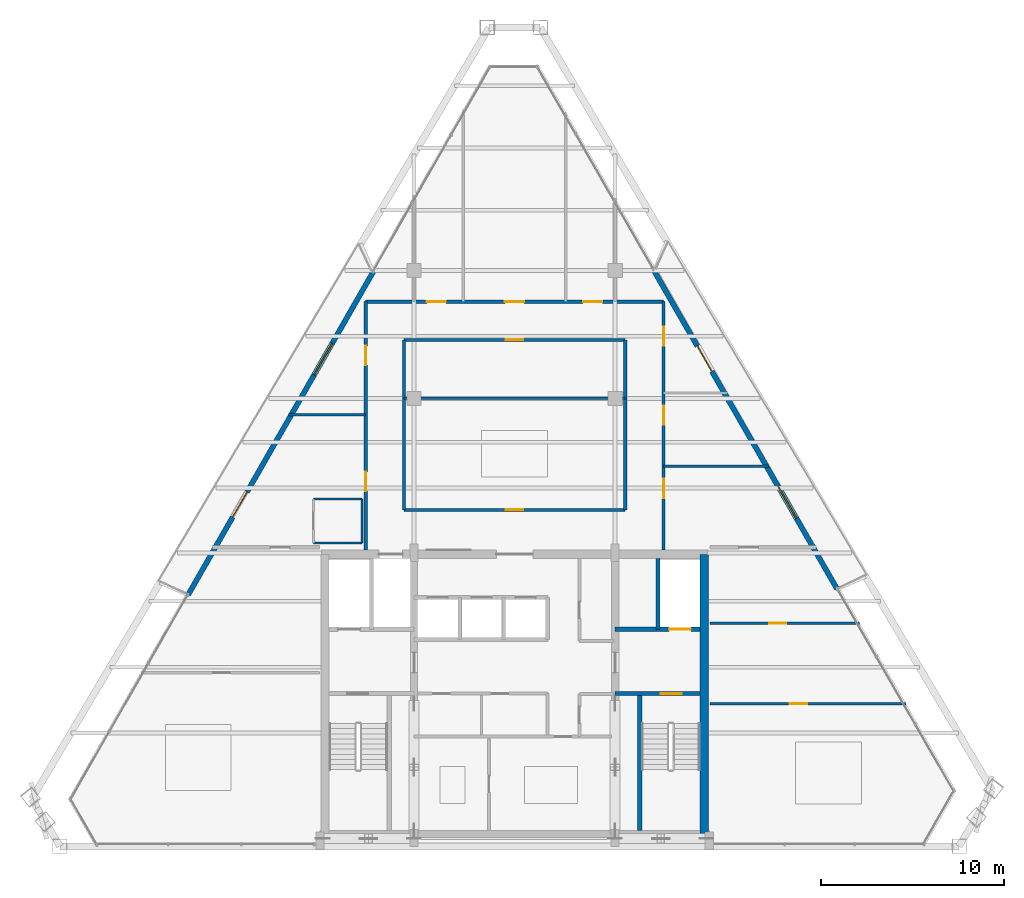
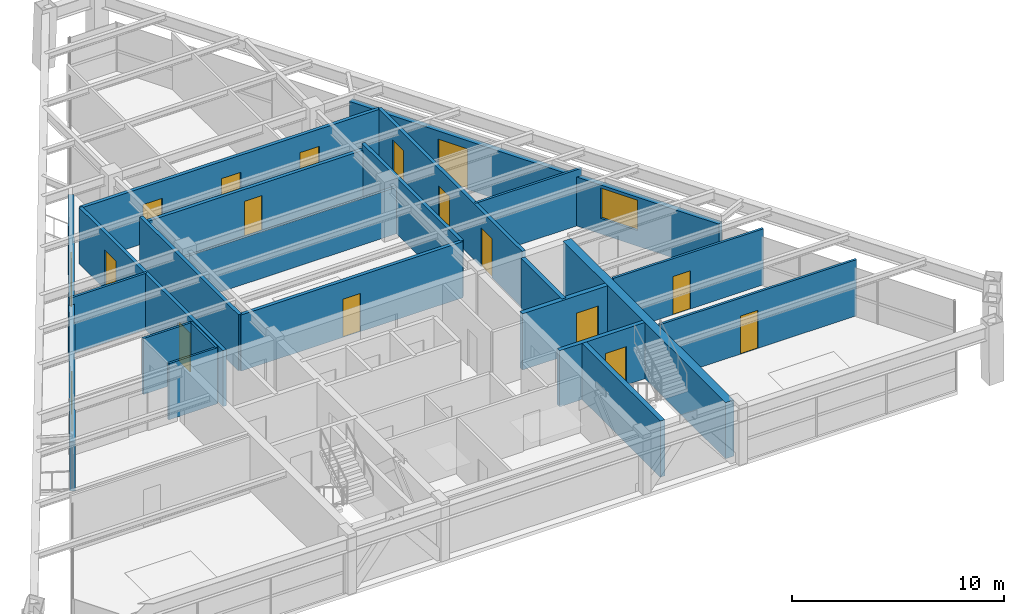
# One storey, part 10 of 13: 22 walls, 16 doors, 2 windows, 18 openings.
"""IFC4 building model written with IfcOpenShell, lengths in metres."""

from ifc_helpers import new_model, si_unit, direction, frame, frame_2d, origin, place, context, subcontext, project, spatial, rectangle, extrude, source, transform, mapped, material, layer, layer_set, type_object, type_shapes, element, fill, save


model = new_model("IFC4")

# Units and contexts
model_context = context("Model", 3, precision=1e-05, world=origin(), true_north=direction((0.0, 1.0)))
body_context = subcontext(model_context, "Body", "Model", "MODEL_VIEW")
ifc_project = project(units=[si_unit("LENGTHUNIT", "METRE"), si_unit("AREAUNIT", "SQUARE_METRE"), si_unit("VOLUMEUNIT", "CUBIC_METRE"), si_unit("PLANEANGLEUNIT", "RADIAN"), si_unit("MASSUNIT", "GRAM", prefix="KILO")], contexts=[model_context])

# Site, building, storey
site_placement = place(None, origin())
site = spatial("IfcSite", under=ifc_project, at=site_placement, CompositionType="ELEMENT")
building_placement = place(site_placement, origin())
building = spatial("IfcBuilding", under=site, at=building_placement, Name="Varnakhor Terracotta Tower", CompositionType="ELEMENT")
storey_placement = place(building_placement, frame((0.0, 0.0, 297.14990234375)))
storey = spatial("IfcBuildingStorey", under=building, at=storey_placement, Name="L78", CompositionType="ELEMENT", Elevation=297.14990234375)

# Walls
ifc_material_1 = material(Name="Moisture-Resistant Tile-Backed Partition", Category="gypsum")
ifc_layer_1 = layer(ifc_material_1, 0.114990234375, Name="Moisture-Resistant Tile-Backed Partition")
ifc_layer_set_1 = layer_set([ifc_layer_1], Name="Moisture-Resistant Tile-Backed Partition")
wall_type_1 = type_object("IfcWallType", Name="WAL-BATH-115", PredefinedType="PARTITIONING", material=ifc_layer_set_1)
for number, where, z_axis, x_axis, name in (
    (1, (-11.0, 16.60009765625, 0.0), (0.0, 0.0, 1.0), (1.0, 0.0, 0.0), "L78 En-Suite 1 Wall S"),
    (2, (-11.0, 19.0, 0.0), (0.0, 0.0, 1.0), (1.0, 0.0, 0.0), "L78 En-Suite 1 Wall N"),
):
    element("IfcWall", number, at=place(storey_placement, frame(where, z_axis=z_axis, x_axis=x_axis)), inside=storey, type_object=wall_type_1, Name=name, PredefinedType="PARTITIONING", context=body_context, shape_type="SweptSolid", body=[
        extrude(rectangle(XDim=2.64990234375, YDim=0.114990234375, at=frame_2d((1.324951171875, 0.0))), origin(), (0.0, 0.0, 1.0), 3.232177734375),
    ])
wall_1_placement = place(storey_placement, frame((-8.35009765625, 16.60009765625, 0.0), z_axis=(0.0, 0.0, 1.0), x_axis=(0.0, 1.0, 0.0)))
element("IfcWall", 3, at=wall_1_placement, inside=storey, type_object=wall_type_1, Name="L78 En-Suite 1 Wall E", PredefinedType="PARTITIONING", context=body_context, shape_type="SweptSolid", body=[
    extrude(rectangle(XDim=2.39990234375, YDim=0.114990234375, at=frame_2d((1.199951171875, 0.0))), origin(), (0.0, 0.0, 1.0), 3.232177734375),
])
ifc_material_2 = material(Name="Concrete C50/60", Category="concrete")
ifc_layer_2 = layer(ifc_material_2, 0.449951171875, Name="Concrete C50/60")
ifc_layer_set_2 = layer_set([ifc_layer_2], Name="Concrete C50/60")
wall_type_2 = type_object("IfcWallType", Name="WAL-CORE-450", PredefinedType="SHEAR", material=ifc_layer_set_2)
wall_2_placement = place(storey_placement, frame((10.375, 0.625, 0.0), z_axis=(0.0, 0.0, 1.0), x_axis=(0.0, 1.0, 0.0)))
element("IfcWall", 4, at=wall_2_placement, inside=storey, type_object=wall_type_2, Name="L78 East Core Shear Wall", PredefinedType="SHEAR", context=body_context, shape_type="SweptSolid", body=[
    extrude(rectangle(XDim=15.35009765625, YDim=0.449951171875, at=frame_2d((7.675048828125, 0.0))), origin(), (0.0, 0.0, 1.0), 3.239990234375),
])

# Wall, opening, door
ifc_material_3 = material(Name="Fire-Rated Gypsum Stud Partition", Category="gypsum")
ifc_layer_3 = layer(ifc_material_3, 0.18505859375, Name="Fire-Rated Gypsum Stud Partition")
ifc_layer_set_3 = layer_set([ifc_layer_3], Name="Fire-Rated Gypsum Stud Partition")
wall_type_3 = type_object("IfcWallType", Name="WAL-CORR-185", PredefinedType="PARTITIONING", material=ifc_layer_set_3)
wall_3_placement = place(storey_placement, frame((-6.050048828125, 18.39990234375, 0.0), z_axis=(0.0, 0.0, 1.0), x_axis=(1.0, 0.0, 0.0)))
wall_3 = element("IfcWall", 5, at=wall_3_placement, inside=storey, type_object=wall_type_3, Name="L78 Ring Inner South Wall", PredefinedType="PARTITIONING", context=body_context, shape_type="SweptSolid", body=[
    extrude(rectangle(XDim=12.10009765625, YDim=0.18505859375, at=frame_2d((6.050048828125, 0.0))), origin(), (0.0, 0.0, 1.0), 3.232177734375),
])
opening_1_placement = place(wall_3_placement, frame((5.574951171875, 0.0, 0.0)))
opening_1 = element("IfcOpeningElement", 6, at=opening_1_placement, cuts=wall_3, Name="Opening DR-94", PredefinedType="OPENING", context=body_context, shape_type="SweptSolid", body=[
    extrude(rectangle(XDim=0.949951171875, YDim=2.199951171875, at=frame_2d((0.47509765625, 1.10009765625))), frame((0.0, 0.1025390625, 0.0), z_axis=(0.0, -1.0, 0.0), x_axis=(1.0, 0.0, 0.0)), (0.0, 0.0, 1.0), 0.205078125),
])
ifc_material_4 = material(Name="Acoustic Glazed-Vision Timber Office Door", Category="wood")
door_type_1 = type_object("IfcDoorType", Name="DR-OFF-950X2200", OperationType="NOTDEFINED", PredefinedType="DOOR", material=ifc_material_4)
shared_shape_1 = source(origin(), body_context, "Body", "SweptSolid", [
    extrude(rectangle(XDim=0.949951171875, YDim=2.199951171875, at=frame_2d((0.47509765625, 1.10009765625))), frame((0.0, 0.02490234375, 0.0), z_axis=(0.0, -1.0, 0.0), x_axis=(1.0, 0.0, 0.0)), (0.0, 0.0, 1.0), 0.050048828125),
])
type_shapes(door_type_1, [shared_shape_1])
door_1_placement = place(opening_1_placement, origin())
door_1 = element("IfcDoor", 7, at=door_1_placement, inside=storey, type_object=door_type_1, Name="L78 Housekeeping Station Door", OperationType="SINGLE_SWING_LEFT", OverallHeight=2.199951171875, OverallWidth=0.949951171875, PredefinedType="DOOR", context=body_context, shape_type="MappedRepresentation", body=[
    mapped(shared_shape_1, transform((0.0, 0.0, 0.0), scale=1.0)),
])
fill(opening_1, door_1)

wall_4_placement = place(storey_placement, frame((-6.050048828125, 27.699951171875, 0.0), z_axis=(0.0, 0.0, 1.0), x_axis=(1.0, 0.0, 0.0)))
wall_4 = element("IfcWall", 8, at=wall_4_placement, inside=storey, type_object=wall_type_3, Name="L78 Ring Inner North Wall", PredefinedType="PARTITIONING", context=body_context, shape_type="SweptSolid", body=[
    extrude(rectangle(XDim=12.10009765625, YDim=0.18505859375, at=frame_2d((6.050048828125, 0.0))), origin(), (0.0, 0.0, 1.0), 2.885009765625),
])
opening_2_placement = place(wall_4_placement, frame((5.574951171875, 0.0, 0.0)))
opening_2 = element("IfcOpeningElement", 9, at=opening_2_placement, cuts=wall_4, Name="Opening DR-94", PredefinedType="OPENING", context=body_context, shape_type="SweptSolid", body=[
    extrude(rectangle(XDim=0.949951171875, YDim=2.199951171875, at=frame_2d((0.47509765625, 1.10009765625))), frame((0.0, 0.1025390625, 0.0), z_axis=(0.0, -1.0, 0.0), x_axis=(1.0, 0.0, 0.0)), (0.0, 0.0, 1.0), 0.205078125),
])
door_2_placement = place(opening_2_placement, origin())
door_2 = element("IfcDoor", 10, at=door_2_placement, inside=storey, type_object=door_type_1, Name="L78 Inner Service Door", OperationType="SINGLE_SWING_RIGHT", OverallHeight=2.199951171875, OverallWidth=0.949951171875, PredefinedType="DOOR", context=body_context, shape_type="MappedRepresentation", body=[
    mapped(shared_shape_1, transform((0.0, 0.0, 0.0), scale=1.0)),
])
fill(opening_2, door_2)

# Walls
for number, where, z_axis, x_axis, name in (
    (11, (-6.050048828125, 18.39990234375, 0.0), (0.0, 0.0, 1.0), (0.0, 1.0, 0.0), "L78 Ring Inner West Wall"),
    (12, (6.050048828125, 18.39990234375, 0.0), (0.0, 0.0, 1.0), (0.0, 1.0, 0.0), "L78 Ring Inner East Wall"),
):
    element("IfcWall", number, at=place(storey_placement, frame(where, z_axis=z_axis, x_axis=x_axis)), inside=storey, type_object=wall_type_3, Name=name, PredefinedType="PARTITIONING", context=body_context, shape_type="SweptSolid", body=[
        extrude(rectangle(XDim=9.300048828125, YDim=0.18505859375, at=frame_2d((4.64990234375, 0.0))), origin(), (0.0, 0.0, 1.0), 3.232177734375),
    ])

# Wall, openings, doors
wall_5_placement = place(storey_placement, frame((-8.14990234375, 16.199951171875, 0.0), z_axis=(0.0, 0.0, 1.0), x_axis=(0.0, 1.0, 0.0)))
wall_5 = element("IfcWall", 13, at=wall_5_placement, inside=storey, type_object=wall_type_3, Name="L78 Hotel West Corridor Wall", PredefinedType="PARTITIONING", context=body_context, shape_type="SweptSolid", body=[
    extrude(rectangle(XDim=13.60009765625, YDim=0.18505859375, at=frame_2d((6.800048828125, 0.0))), origin(), (0.0, 0.0, 1.0), 3.232177734375),
])
opening_3_placement = place(wall_5_placement, frame((3.235107421875, 0.0, 0.0)))
opening_3 = element("IfcOpeningElement", 14, at=opening_3_placement, cuts=wall_5, Name="Opening DR-95", PredefinedType="OPENING", context=body_context, shape_type="SweptSolid", body=[
    extrude(rectangle(XDim=1.050048828125, YDim=2.25, at=frame_2d((0.52490234375, 1.125))), frame((0.0, 0.1025390625, 0.0), z_axis=(0.0, -1.0, 0.0), x_axis=(1.0, 0.0, 0.0)), (0.0, 0.0, 1.0), 0.205078125),
])
opening_4_placement = place(wall_5_placement, frame((10.12255859375, 0.0, 0.0)))
opening_4 = element("IfcOpeningElement", 15, at=opening_4_placement, cuts=wall_5, Name="Opening DR-95", PredefinedType="OPENING", context=body_context, shape_type="SweptSolid", body=[
    extrude(rectangle(XDim=1.050048828125, YDim=2.25, at=frame_2d((0.52490234375, 1.125))), frame((0.0, 0.1025390625, 0.0), z_axis=(0.0, -1.0, 0.0), x_axis=(1.0, 0.0, 0.0)), (0.0, 0.0, 1.0), 0.205078125),
])
ifc_material_5 = material(Name="Solid-Core Timber Tenant/Hotel Entrance Door", Category="wood")
door_type_2 = type_object("IfcDoorType", Name="DR-SUITE-1050X2250", OperationType="NOTDEFINED", PredefinedType="DOOR", material=ifc_material_5)
shared_shape_2 = source(origin(), body_context, "Body", "SweptSolid", [
    extrude(rectangle(XDim=1.050048828125, YDim=2.25, at=frame_2d((0.52490234375, 1.125))), frame((0.0, 0.02490234375, 0.0), z_axis=(0.0, -1.0, 0.0), x_axis=(1.0, 0.0, 0.0)), (0.0, 0.0, 1.0), 0.050048828125),
])
type_shapes(door_type_2, [shared_shape_2])
door_3_placement = place(opening_3_placement, origin())
door_3 = element("IfcDoor", 16, at=door_3_placement, inside=storey, type_object=door_type_2, Name="L78 West Room 1 Entry Door", OperationType="SINGLE_SWING_RIGHT", OverallHeight=2.25, OverallWidth=1.050048828125, PredefinedType="DOOR", context=body_context, shape_type="MappedRepresentation", body=[
    mapped(shared_shape_2, transform((0.0, 0.0, 0.0), scale=1.0)),
])
fill(opening_3, door_3)
door_4_placement = place(opening_4_placement, origin())
door_4 = element("IfcDoor", 17, at=door_4_placement, inside=storey, type_object=door_type_2, Name="L78 West Room 2 Entry Door", OperationType="SINGLE_SWING_RIGHT", OverallHeight=2.25, OverallWidth=1.050048828125, PredefinedType="DOOR", context=body_context, shape_type="MappedRepresentation", body=[
    mapped(shared_shape_2, transform((0.0, 0.0, 0.0), scale=1.0)),
])
fill(opening_4, door_4)

wall_6_placement = place(storey_placement, frame((8.14990234375, 16.199951171875, 0.0), z_axis=(0.0, 0.0, 1.0), x_axis=(0.0, 1.0, 0.0)))
wall_6 = element("IfcWall", 18, at=wall_6_placement, inside=storey, type_object=wall_type_3, Name="L78 Hotel East Corridor Wall", PredefinedType="PARTITIONING", context=body_context, shape_type="SweptSolid", body=[
    extrude(rectangle(XDim=13.60009765625, YDim=0.18505859375, at=frame_2d((6.800048828125, 0.0))), origin(), (0.0, 0.0, 1.0), 3.232177734375),
])
opening_5_placement = place(wall_6_placement, frame((2.8525390625, 0.0, 0.0)))
opening_5 = element("IfcOpeningElement", 19, at=opening_5_placement, cuts=wall_6, Name="Opening DR-95", PredefinedType="OPENING", context=body_context, shape_type="SweptSolid", body=[
    extrude(rectangle(XDim=1.050048828125, YDim=2.25, at=frame_2d((0.52490234375, 1.125))), frame((0.0, 0.1025390625, 0.0), z_axis=(0.0, -1.0, 0.0), x_axis=(1.0, 0.0, 0.0)), (0.0, 0.0, 1.0), 0.205078125),
])
opening_6_placement = place(wall_6_placement, frame((6.8525390625, 0.0, 0.0)))
opening_6 = element("IfcOpeningElement", 20, at=opening_6_placement, cuts=wall_6, Name="Opening DR-95", PredefinedType="OPENING", context=body_context, shape_type="SweptSolid", body=[
    extrude(rectangle(XDim=1.050048828125, YDim=2.25, at=frame_2d((0.52490234375, 1.125))), frame((0.0, 0.1025390625, 0.0), z_axis=(0.0, -1.0, 0.0), x_axis=(1.0, 0.0, 0.0)), (0.0, 0.0, 1.0), 0.205078125),
])
opening_7_placement = place(wall_6_placement, frame((11.1845703125, 0.0, 0.0)))
opening_7 = element("IfcOpeningElement", 21, at=opening_7_placement, cuts=wall_6, Name="Opening DR-95", PredefinedType="OPENING", context=body_context, shape_type="SweptSolid", body=[
    extrude(rectangle(XDim=1.050048828125, YDim=2.25, at=frame_2d((0.52490234375, 1.125))), frame((0.0, 0.1025390625, 0.0), z_axis=(0.0, -1.0, 0.0), x_axis=(1.0, 0.0, 0.0)), (0.0, 0.0, 1.0), 0.205078125),
])
door_5_placement = place(opening_5_placement, origin())
door_5 = element("IfcDoor", 22, at=door_5_placement, inside=storey, type_object=door_type_2, Name="L78 East Room 1 Entry Door", OperationType="SINGLE_SWING_LEFT", OverallHeight=2.25, OverallWidth=1.050048828125, PredefinedType="DOOR", context=body_context, shape_type="MappedRepresentation", body=[
    mapped(shared_shape_2, transform((0.0, 0.0, 0.0), scale=1.0)),
])
fill(opening_5, door_5)
door_6_placement = place(opening_6_placement, origin())
door_6 = element("IfcDoor", 23, at=door_6_placement, inside=storey, type_object=door_type_2, Name="L78 East Room 2 Entry Door", OperationType="SINGLE_SWING_RIGHT", OverallHeight=2.25, OverallWidth=1.050048828125, PredefinedType="DOOR", context=body_context, shape_type="MappedRepresentation", body=[
    mapped(shared_shape_2, transform((0.0, 0.0, 0.0), scale=1.0)),
])
fill(opening_6, door_6)
door_7_placement = place(opening_7_placement, origin())
door_7 = element("IfcDoor", 24, at=door_7_placement, inside=storey, type_object=door_type_2, Name="L78 East Room 3 Entry Door", OperationType="SINGLE_SWING_LEFT", OverallHeight=2.25, OverallWidth=1.050048828125, PredefinedType="DOOR", context=body_context, shape_type="MappedRepresentation", body=[
    mapped(shared_shape_2, transform((0.0, 0.0, 0.0), scale=1.0)),
])
fill(opening_7, door_7)

wall_7_placement = place(storey_placement, frame((-8.14990234375, 29.800048828125, 0.0), z_axis=(0.0, 0.0, 1.0), x_axis=(1.0, 0.0, 0.0)))
wall_7 = element("IfcWall", 25, at=wall_7_placement, inside=storey, type_object=wall_type_3, Name="L78 Hotel North Corridor Wall", PredefinedType="PARTITIONING", context=body_context, shape_type="SweptSolid", body=[
    extrude(rectangle(XDim=16.2998046875, YDim=0.18505859375, at=frame_2d((8.14990234375, 0.0))), origin(), (0.0, 0.0, 1.0), 3.232177734375),
])
opening_8_placement = place(wall_7_placement, frame((3.347412109375, 0.0, 0.0)))
opening_8 = element("IfcOpeningElement", 26, at=opening_8_placement, cuts=wall_7, Name="Opening DR-95", PredefinedType="OPENING", context=body_context, shape_type="SweptSolid", body=[
    extrude(rectangle(XDim=1.050048828125, YDim=2.25, at=frame_2d((0.52490234375, 1.125))), frame((0.0, 0.1025390625, 0.0), z_axis=(0.0, -1.0, 0.0), x_axis=(1.0, 0.0, 0.0)), (0.0, 0.0, 1.0), 0.205078125),
])
opening_9_placement = place(wall_7_placement, frame((7.625, 0.0, 0.0)))
opening_9 = element("IfcOpeningElement", 27, at=opening_9_placement, cuts=wall_7, Name="Opening DR-95", PredefinedType="OPENING", context=body_context, shape_type="SweptSolid", body=[
    extrude(rectangle(XDim=1.050048828125, YDim=2.25, at=frame_2d((0.52490234375, 1.125))), frame((0.0, 0.1025390625, 0.0), z_axis=(0.0, -1.0, 0.0), x_axis=(1.0, 0.0, 0.0)), (0.0, 0.0, 1.0), 0.205078125),
])
opening_10_placement = place(wall_7_placement, frame((11.902587890625, 0.0, 0.0)))
opening_10 = element("IfcOpeningElement", 28, at=opening_10_placement, cuts=wall_7, Name="Opening DR-95", PredefinedType="OPENING", context=body_context, shape_type="SweptSolid", body=[
    extrude(rectangle(XDim=1.050048828125, YDim=2.25, at=frame_2d((0.52490234375, 1.125))), frame((0.0, 0.1025390625, 0.0), z_axis=(0.0, -1.0, 0.0), x_axis=(1.0, 0.0, 0.0)), (0.0, 0.0, 1.0), 0.205078125),
])
door_8_placement = place(opening_8_placement, origin())
door_8 = element("IfcDoor", 29, at=door_8_placement, inside=storey, type_object=door_type_2, Name="L78 North Suite 1 Entry Door", OperationType="SINGLE_SWING_RIGHT", OverallHeight=2.25, OverallWidth=1.050048828125, PredefinedType="DOOR", context=body_context, shape_type="MappedRepresentation", body=[
    mapped(shared_shape_2, transform((0.0, 0.0, 0.0), scale=1.0)),
])
fill(opening_8, door_8)
door_9_placement = place(opening_9_placement, origin())
door_9 = element("IfcDoor", 30, at=door_9_placement, inside=storey, type_object=door_type_2, Name="L78 North Suite 2 Entry Door", OperationType="SINGLE_SWING_LEFT", OverallHeight=2.25, OverallWidth=1.050048828125, PredefinedType="DOOR", context=body_context, shape_type="MappedRepresentation", body=[
    mapped(shared_shape_2, transform((0.0, 0.0, 0.0), scale=1.0)),
])
fill(opening_9, door_9)
door_10_placement = place(opening_10_placement, origin())
door_10 = element("IfcDoor", 31, at=door_10_placement, inside=storey, type_object=door_type_2, Name="L78 North Suite 3 Entry Door", OperationType="SINGLE_SWING_RIGHT", OverallHeight=2.25, OverallWidth=1.050048828125, PredefinedType="DOOR", context=body_context, shape_type="MappedRepresentation", body=[
    mapped(shared_shape_2, transform((0.0, 0.0, 0.0), scale=1.0)),
])
fill(opening_10, door_10)

# Wall, openings, door, window
ifc_material_6 = material(Name="Extruded Architectural Terracotta Assembly", Category="masonry")
ifc_layer_4 = layer(ifc_material_6, 0.280029296875, Name="Extruded Architectural Terracotta Assembly")
ifc_layer_set_4 = layer_set([ifc_layer_4], Name="Extruded Architectural Terracotta Assembly")
wall_type_4 = type_object("IfcWallType", Name="WAL-EXT-TERRACOTTA-280", PredefinedType="SOLIDWALL", material=ifc_layer_set_4)
wall_8_placement = place(storey_placement, frame((-17.857177734375, 13.759765625, 0.0), z_axis=(0.0, 0.0, 1.0), x_axis=(0.497115564006, 0.867684341234, 0.0)))
wall_8 = element("IfcWall", 32, at=wall_8_placement, inside=storey, type_object=wall_type_4, Name="L78 W Loggia Insulated Terracotta Wall", PredefinedType="SOLIDWALL", context=body_context, shape_type="SweptSolid", body=[
    extrude(rectangle(XDim=20.372802734375, YDim=0.280029296875, at=frame_2d((10.1865234375, 0.0))), origin(), (0.0, 0.0, 1.0), 2.820068359375),
])
opening_11_placement = place(wall_8_placement, frame((4.889404296875, 0.0, 0.0)))
opening_11 = element("IfcOpeningElement", 33, at=opening_11_placement, cuts=wall_8, Name="Opening DR-62", PredefinedType="OPENING", context=body_context, shape_type="SweptSolid", body=[
    extrude(rectangle(XDim=1.60009765625, YDim=2.35009765625, at=frame_2d((0.800048828125, 1.175048828125))), frame((0.0, 0.14990234375, 0.0), z_axis=(0.0, -1.0, 0.0), x_axis=(1.0, 0.0, 0.0)), (0.0, 0.0, 1.0), 0.300048828125),
])
opening_12_placement = place(wall_8_placement, frame((13.853515625, 0.0, 0.89990234375)))
opening_12 = element("IfcOpeningElement", 34, at=opening_12_placement, cuts=wall_8, Name="Opening WN-63", PredefinedType="OPENING", context=body_context, shape_type="SweptSolid", body=[
    extrude(rectangle(XDim=2.0, YDim=1.75, at=frame_2d((1.0, 0.875))), frame((0.0, 0.14990234375, 0.0), z_axis=(0.0, -1.0, 0.0), x_axis=(1.0, 0.0, 0.0)), (0.0, 0.0, 1.0), 0.300048828125),
])
ifc_material_7 = material(Name="Thermally Broken Sliding Glass Loggia Door", Category="glass")
door_type_3 = type_object("IfcDoorType", Name="DR-EXT-LOGGIA-1600X2350", OperationType="NOTDEFINED", PredefinedType="DOOR", material=ifc_material_7)
shared_shape_3 = source(origin(), body_context, "Body", "SweptSolid", [
    extrude(rectangle(XDim=1.60009765625, YDim=2.35009765625, at=frame_2d((0.800048828125, 1.175048828125))), frame((0.0, 0.02490234375, 0.0), z_axis=(0.0, -1.0, 0.0), x_axis=(1.0, 0.0, 0.0)), (0.0, 0.0, 1.0), 0.050048828125),
])
type_shapes(door_type_3, [shared_shape_3])
door_11_placement = place(opening_11_placement, origin())
door_11 = element("IfcDoor", 35, at=door_11_placement, inside=storey, type_object=door_type_3, Name="L78 W Recessed Loggia Sliding Door", OperationType="SLIDING_TO_LEFT", OverallHeight=2.35009765625, OverallWidth=1.60009765625, PredefinedType="DOOR", context=body_context, shape_type="MappedRepresentation", body=[
    mapped(shared_shape_3, transform((0.0, 0.0, 0.0), scale=1.0)),
])
fill(opening_11, door_11)
ifc_material_8 = material(Name="Solar-Control Low-E Insulated Glass Unit", Category="glass")
window_type = type_object("IfcWindowType", Name="WIN-HTL-2000X1950", PartitioningType="SINGLE_PANEL", PredefinedType="WINDOW", material=ifc_material_8)
shared_shape_4 = source(origin(), body_context, "Body", "SweptSolid", [
    extrude(rectangle(XDim=2.0, YDim=1.75, at=frame_2d((1.0, 0.875))), frame((0.0, 0.030029296875, 0.0), z_axis=(0.0, -1.0, 0.0), x_axis=(1.0, 0.0, 0.0)), (0.0, 0.0, 1.0), 0.06005859375),
])
type_shapes(window_type, [shared_shape_4])
window_1_placement = place(opening_12_placement, origin())
window_1 = element("IfcWindow", 36, at=window_1_placement, inside=storey, type_object=window_type, Name="L78 W Facet Punched Window", OverallHeight=1.75, OverallWidth=2.0, PartitioningType="SINGLE_PANEL", PredefinedType="WINDOW", context=body_context, shape_type="MappedRepresentation", body=[
    mapped(shared_shape_4, transform((0.0, 0.0, 0.0), scale=1.0)),
])
fill(opening_12, window_1)

wall_9_placement = place(storey_placement, frame((7.5859375, 31.561279296875, 0.0), z_axis=(0.0, 0.0, 1.0), x_axis=(0.498604857305, -0.866829392829, 0.0)))
wall_9 = element("IfcWall", 37, at=wall_9_placement, inside=storey, type_object=wall_type_4, Name="L78 E Loggia Insulated Terracotta Wall", PredefinedType="SOLIDWALL", context=body_context, shape_type="SweptSolid", body=[
    extrude(rectangle(XDim=20.1669921875, YDim=0.280029296875, at=frame_2d((10.08349609375, 0.0))), origin(), (0.0, 0.0, 1.0), 2.820068359375),
])
opening_13_placement = place(wall_9_placement, frame((4.840087890625, 0.0, 0.0)))
opening_13 = element("IfcOpeningElement", 38, at=opening_13_placement, cuts=wall_9, Name="Opening DR-62", PredefinedType="OPENING", context=body_context, shape_type="SweptSolid", body=[
    extrude(rectangle(XDim=1.60009765625, YDim=2.35009765625, at=frame_2d((0.800048828125, 1.175048828125))), frame((0.0, 0.14990234375, 0.0), z_axis=(0.0, -1.0, 0.0), x_axis=(1.0, 0.0, 0.0)), (0.0, 0.0, 1.0), 0.300048828125),
])
opening_14_placement = place(wall_9_placement, frame((13.713623046875, 0.0, 0.89990234375)))
opening_14 = element("IfcOpeningElement", 39, at=opening_14_placement, cuts=wall_9, Name="Opening WN-63", PredefinedType="OPENING", context=body_context, shape_type="SweptSolid", body=[
    extrude(rectangle(XDim=2.0, YDim=1.75, at=frame_2d((1.0, 0.875))), frame((0.0, 0.14990234375, 0.0), z_axis=(0.0, -1.0, 0.0), x_axis=(1.0, 0.0, 0.0)), (0.0, 0.0, 1.0), 0.300048828125),
])
door_12_placement = place(opening_13_placement, origin())
door_12 = element("IfcDoor", 40, at=door_12_placement, inside=storey, type_object=door_type_3, Name="L78 E Recessed Loggia Sliding Door", OperationType="SLIDING_TO_RIGHT", OverallHeight=2.35009765625, OverallWidth=1.60009765625, PredefinedType="DOOR", context=body_context, shape_type="MappedRepresentation", body=[
    mapped(shared_shape_3, transform((0.0, 0.0, 0.0), scale=1.0)),
])
fill(opening_13, door_12)
window_2_placement = place(opening_14_placement, origin())
window_2 = element("IfcWindow", 41, at=window_2_placement, inside=storey, type_object=window_type, Name="L78 E Facet Punched Window", OverallHeight=1.75, OverallWidth=2.0, PartitioningType="SINGLE_PANEL", PredefinedType="WINDOW", context=body_context, shape_type="MappedRepresentation", body=[
    mapped(shared_shape_4, transform((0.0, 0.0, 0.0), scale=1.0)),
])
fill(opening_14, window_2)

# Wall, opening, door
ifc_material_9 = material(Name="Concrete C40/50", Category="concrete")
ifc_layer_5 = layer(ifc_material_9, 0.219970703125, Name="Concrete C40/50")
ifc_layer_set_5 = layer_set([ifc_layer_5], Name="Concrete C40/50")
wall_type_5 = type_object("IfcWallType", Name="WAL-FFLOBBY-220", PredefinedType="SOLIDWALL", material=ifc_layer_set_5)
wall_10_placement = place(storey_placement, frame((10.14990234375, 8.35009765625, 0.0), z_axis=(0.0, 0.0, 1.0), x_axis=(-1.0, 0.0, 0.0)))
wall_10 = element("IfcWall", 42, at=wall_10_placement, inside=storey, type_object=wall_type_5, Name="L78 East Firefighting Lobby Stair Wall", PredefinedType="SOLIDWALL", context=body_context, shape_type="SweptSolid", body=[
    extrude(rectangle(XDim=4.64990234375, YDim=0.219970703125, at=frame_2d((2.324951171875, 0.0))), origin(), (0.0, 0.0, 1.0), 3.239990234375),
])
opening_15_placement = place(wall_10_placement, frame((1.0, 0.0, 0.0)))
opening_15 = element("IfcOpeningElement", 43, at=opening_15_placement, cuts=wall_10, Name="Opening DR-34", PredefinedType="OPENING", context=body_context, shape_type="SweptSolid", body=[
    extrude(rectangle(XDim=1.14990234375, YDim=2.199951171875, at=frame_2d((0.574951171875, 1.10009765625))), frame((0.0, 0.1201171875, 0.0), z_axis=(0.0, -1.0, 0.0), x_axis=(1.0, 0.0, 0.0)), (0.0, 0.0, 1.0), 0.239990234375),
])
ifc_material_10 = material(Name="Self-Closing Smoke-Sealed Steel Fire Door", Category="steel")
door_type_4 = type_object("IfcDoorType", Name="DR-STAIR-1150X2200", OperationType="NOTDEFINED", PredefinedType="DOOR", material=ifc_material_10)
shared_shape_5 = source(origin(), body_context, "Body", "SweptSolid", [
    extrude(rectangle(XDim=1.14990234375, YDim=2.199951171875, at=frame_2d((0.574951171875, 1.10009765625))), frame((0.0, 0.02490234375, 0.0), z_axis=(0.0, -1.0, 0.0), x_axis=(1.0, 0.0, 0.0)), (0.0, 0.0, 1.0), 0.050048828125),
])
type_shapes(door_type_4, [shared_shape_5])
door_13_placement = place(opening_15_placement, origin())
door_13 = element("IfcDoor", 44, at=door_13_placement, inside=storey, type_object=door_type_4, Name="L78 Exit Stair ST-2 Fire Door", OperationType="SINGLE_SWING_LEFT", OverallHeight=2.199951171875, OverallWidth=1.14990234375, PredefinedType="DOOR", context=body_context, shape_type="MappedRepresentation", body=[
    mapped(shared_shape_5, transform((0.0, 0.0, 0.0), scale=1.0)),
])
fill(opening_15, door_13)

ifc_material_11 = material(Name="Acoustic Hotel Room Partition", Category="gypsum")
ifc_layer_6 = layer(ifc_material_11, 0.1298828125, Name="Acoustic Hotel Room Partition")
ifc_layer_set_6 = layer_set([ifc_layer_6], Name="Acoustic Hotel Room Partition")
wall_type_6 = type_object("IfcWallType", Name="WAL-PART-130", PredefinedType="PARTITIONING", material=ifc_layer_set_6)
wall_11_placement = place(storey_placement, frame((10.679931640625, 7.800048828125, 0.0), z_axis=(0.0, 0.0, 1.0), x_axis=(1.0, 0.0, 0.0)))
wall_11 = element("IfcWall", 45, at=wall_11_placement, inside=storey, type_object=wall_type_6, Name="L78 SE Key Split 1", PredefinedType="PARTITIONING", context=body_context, shape_type="SweptSolid", body=[
    extrude(rectangle(XDim=10.723876953125, YDim=0.1298828125, at=frame_2d((5.36181640625, 0.0))), origin(), (0.0, 0.0, 1.0), 3.232177734375),
])
opening_16_placement = place(wall_11_placement, frame((4.384765625, 0.0, 0.0)))
opening_16 = element("IfcOpeningElement", 46, at=opening_16_placement, cuts=wall_11, Name="Opening DR-94", PredefinedType="OPENING", context=body_context, shape_type="SweptSolid", body=[
    extrude(rectangle(XDim=0.949951171875, YDim=2.199951171875, at=frame_2d((0.47509765625, 1.10009765625))), frame((0.0, 0.074951171875, 0.0), z_axis=(0.0, -1.0, 0.0), x_axis=(1.0, 0.0, 0.0)), (0.0, 0.0, 1.0), 0.14990234375),
])
door_14_placement = place(opening_16_placement, origin())
door_14 = element("IfcDoor", 47, at=door_14_placement, inside=storey, type_object=door_type_1, Name="L78 SE Suite Connect Door 1", OperationType="SINGLE_SWING_RIGHT", OverallHeight=2.199951171875, OverallWidth=0.949951171875, PredefinedType="DOOR", context=body_context, shape_type="MappedRepresentation", body=[
    mapped(shared_shape_1, transform((0.0, 0.0, 0.0), scale=1.0)),
])
fill(opening_16, door_14)

wall_12_placement = place(storey_placement, frame((10.679931640625, 12.199951171875, 0.0), z_axis=(0.0, 0.0, 1.0), x_axis=(1.0, 0.0, 0.0)))
wall_12 = element("IfcWall", 48, at=wall_12_placement, inside=storey, type_object=wall_type_6, Name="L78 SE Key Split 2", PredefinedType="PARTITIONING", context=body_context, shape_type="SweptSolid", body=[
    extrude(rectangle(XDim=8.19287109375, YDim=0.1298828125, at=frame_2d((4.096435546875, 0.0))), origin(), (0.0, 0.0, 1.0), 3.232177734375),
])
opening_17_placement = place(wall_12_placement, frame((3.24560546875, 0.0, 0.0)))
opening_17 = element("IfcOpeningElement", 49, at=opening_17_placement, cuts=wall_12, Name="Opening DR-94", PredefinedType="OPENING", context=body_context, shape_type="SweptSolid", body=[
    extrude(rectangle(XDim=0.949951171875, YDim=2.199951171875, at=frame_2d((0.47509765625, 1.10009765625))), frame((0.0, 0.074951171875, 0.0), z_axis=(0.0, -1.0, 0.0), x_axis=(1.0, 0.0, 0.0)), (0.0, 0.0, 1.0), 0.14990234375),
])
door_15_placement = place(opening_17_placement, origin())
door_15 = element("IfcDoor", 50, at=door_15_placement, inside=storey, type_object=door_type_1, Name="L78 SE Suite Connect Door 2", OperationType="SINGLE_SWING_LEFT", OverallHeight=2.199951171875, OverallWidth=0.949951171875, PredefinedType="DOOR", context=body_context, shape_type="MappedRepresentation", body=[
    mapped(shared_shape_1, transform((0.0, 0.0, 0.0), scale=1.0)),
])
fill(opening_17, door_15)

# Walls
wall_13_placement = place(storey_placement, frame((-12.369384765625, 23.60009765625, 0.0), z_axis=(0.0, 0.0, 1.0), x_axis=(1.0, 0.0, 0.0)))
element("IfcWall", 51, at=wall_13_placement, inside=storey, type_object=wall_type_6, Name="L78 West Key Cut 1", PredefinedType="PARTITIONING", context=body_context, shape_type="SweptSolid", body=[
    extrude(rectangle(XDim=4.219482421875, YDim=0.1298828125, at=frame_2d((2.10986328125, 0.0))), origin(), (0.0, 0.0, 1.0), 3.232177734375),
])
wall_14_placement = place(storey_placement, frame((8.14990234375, 20.800048828125, 0.0), z_axis=(0.0, 0.0, 1.0), x_axis=(1.0, 0.0, 0.0)))
element("IfcWall", 52, at=wall_14_placement, inside=storey, type_object=wall_type_6, Name="L78 East Key Cut 1", PredefinedType="PARTITIONING", context=body_context, shape_type="SweptSolid", body=[
    extrude(rectangle(XDim=5.776123046875, YDim=0.1298828125, at=frame_2d((2.88818359375, 0.0))), origin(), (0.0, 0.0, 1.0), 3.232177734375),
])
ifc_material_12 = material(Name="Acoustic Metal-Stud Partition", Category="gypsum")
ifc_layer_7 = layer(ifc_material_12, 0.139892578125, Name="Acoustic Metal-Stud Partition")
ifc_layer_set_7 = layer_set([ifc_layer_7], Name="Acoustic Metal-Stud Partition")
wall_type_7 = type_object("IfcWallType", Name="WAL-PART-140", PredefinedType="PARTITIONING", material=ifc_layer_set_7)
wall_15_placement = place(storey_placement, frame((-6.050048828125, 24.5, 0.0), z_axis=(0.0, 0.0, 1.0), x_axis=(1.0, 0.0, 0.0)))
element("IfcWall", 53, at=wall_15_placement, inside=storey, type_object=wall_type_7, Name="L78 Inner Service Split", PredefinedType="PARTITIONING", context=body_context, shape_type="SweptSolid", body=[
    extrude(rectangle(XDim=12.10009765625, YDim=0.139892578125, at=frame_2d((6.050048828125, 0.0))), origin(), (0.0, 0.0, 1.0), 2.68310546875),
])
ifc_layer_8 = layer(ifc_material_9, 0.219970703125, Name="Concrete C40/50")
ifc_layer_set_8 = layer_set([ifc_layer_8], Name="Concrete C40/50")
wall_type_8 = type_object("IfcWallType", Name="WAL-SHAFT-220", PredefinedType="SOLIDWALL", material=ifc_layer_set_8)
wall_16_placement = place(storey_placement, frame((7.840087890625, 11.8701171875, 0.0), z_axis=(0.0, 0.0, 1.0), x_axis=(0.0, 1.0, 0.0)))
element("IfcWall", 54, at=wall_16_placement, inside=storey, type_object=wall_type_8, Name="L78 Lift FFL-2 and Riser Divider Wall", PredefinedType="SOLIDWALL", context=body_context, shape_type="SweptSolid", body=[
    extrude(rectangle(XDim=3.8798828125, YDim=0.219970703125, at=frame_2d((1.93994140625, 0.0))), origin(), (0.0, 0.0, 1.0), 3.239990234375),
])
ifc_layer_9 = layer(ifc_material_9, 0.25, Name="Concrete C40/50")
ifc_layer_set_9 = layer_set([ifc_layer_9], Name="Concrete C40/50")
wall_type_9 = type_object("IfcWallType", Name="WAL-SHAFT-250", PredefinedType="SOLIDWALL", material=ifc_layer_set_9)
wall_17_placement = place(storey_placement, frame((6.85009765625, 0.85009765625, 0.0), z_axis=(0.0, 0.0, 1.0), x_axis=(0.0, 1.0, 0.0)))
element("IfcWall", 55, at=wall_17_placement, inside=storey, type_object=wall_type_9, Name="L78 Stair ST-2 Bearing Shaft Wall", PredefinedType="SOLIDWALL", context=body_context, shape_type="SweptSolid", body=[
    extrude(rectangle(XDim=7.5, YDim=0.25, at=frame_2d((3.75, 0.0))), origin(), (0.0, 0.0, 1.0), 3.239990234375),
])

# Wall, opening, door
wall_18_placement = place(storey_placement, frame((10.14990234375, 11.8701171875, 0.0), z_axis=(0.0, 0.0, 1.0), x_axis=(-1.0, 0.0, 0.0)))
wall_18 = element("IfcWall", 56, at=wall_18_placement, inside=storey, type_object=wall_type_9, Name="L78 Lift FFL-2 Shaft Front Wall", PredefinedType="SOLIDWALL", context=body_context, shape_type="SweptSolid", body=[
    extrude(rectangle(XDim=4.64990234375, YDim=0.25, at=frame_2d((2.324951171875, 0.0))), origin(), (0.0, 0.0, 1.0), 3.239990234375),
])
opening_18_placement = place(wall_18_placement, frame((0.5, 0.0, 0.0)))
opening_18 = element("IfcOpeningElement", 57, at=opening_18_placement, cuts=wall_18, Name="Opening LD-02", PredefinedType="OPENING", context=body_context, shape_type="SweptSolid", body=[
    extrude(rectangle(XDim=1.199951171875, YDim=2.25, at=frame_2d((0.60009765625, 1.125))), frame((0.0, 0.135009765625, 0.0), z_axis=(0.0, -1.0, 0.0), x_axis=(1.0, 0.0, 0.0)), (0.0, 0.0, 1.0), 0.27001953125),
])
ifc_material_13 = material(Name="Firefighting Stretcher Sliding Lift Landing Door", Category="steel")
door_type_5 = type_object("IfcDoorType", Name="LD-FFL-1200X2250", OperationType="NOTDEFINED", PredefinedType="DOOR", material=ifc_material_13)
shared_shape_6 = source(origin(), body_context, "Body", "SweptSolid", [
    extrude(rectangle(XDim=1.199951171875, YDim=2.25, at=frame_2d((0.60009765625, 1.125))), frame((0.0, 0.02490234375, 0.0), z_axis=(0.0, -1.0, 0.0), x_axis=(1.0, 0.0, 0.0)), (0.0, 0.0, 1.0), 0.050048828125),
])
type_shapes(door_type_5, [shared_shape_6])
door_16_placement = place(opening_18_placement, origin())
door_16 = element("IfcDoor", 58, at=door_16_placement, inside=storey, type_object=door_type_5, Name="L78 Firefighting Lift FFL-2 Landing Door", OperationType="SLIDING_TO_RIGHT", OverallHeight=2.25, OverallWidth=1.199951171875, PredefinedType="DOOR", context=body_context, shape_type="MappedRepresentation", body=[
    mapped(shared_shape_6, transform((0.0, 0.0, 0.0), scale=1.0)),
])
fill(opening_18, door_16)

save(model, "model.ifc")
